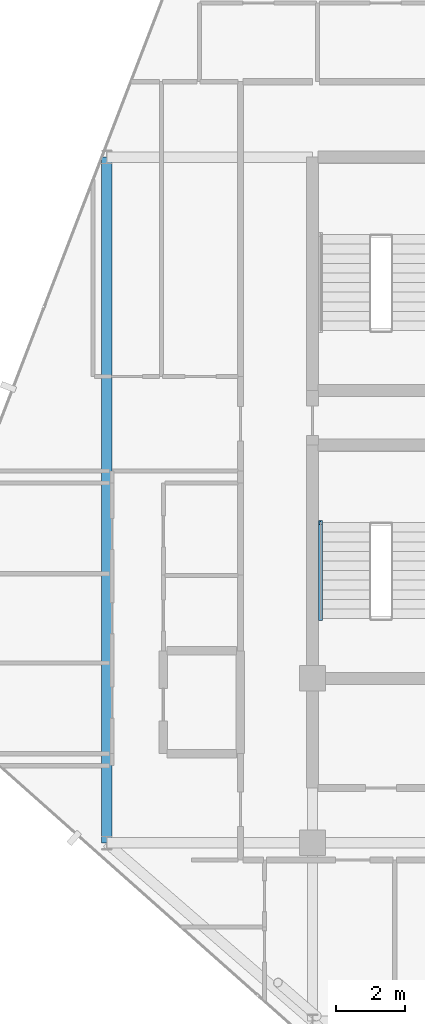
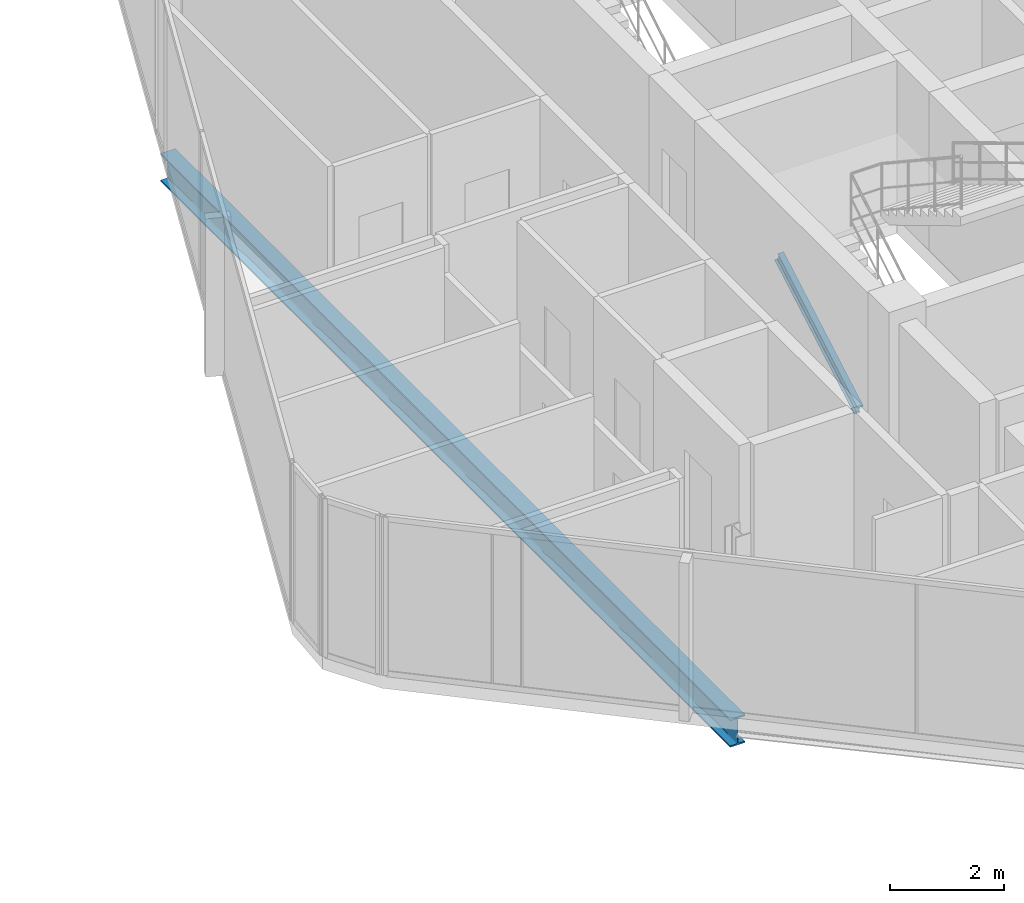
# One storey, part 9 of 28: 1 beam, 1 member.
"""IFC4 building model written with IfcOpenShell, lengths in metres."""

import ifcopenshell
import ifcopenshell.guid

model = None  # the IFC model being written
_history = None  # IfcOwnerHistory: only IFC2X3 demands one
_inside = {}  # id of a spatial element -> (the spatial element, [elements in it])
_under = {}  # id of a project, library or spatial element -> (it, [spatial elements below it])
_declared = {}  # id of a project -> (the project, [libraries it declares])
_typed = {}  # id of a type object -> (the type object, [elements of that type])
_made_of = {}  # id of a material, layer set ... -> (it, [elements and type objects made of it])


def new_model(schema):
    """Start an empty IFC model of exactly this schema.

    Asked for "IFC4X3", IfcOpenShell would pick the latest addendum, in which some entities
    have other attributes; the version numbers below select the first issue.
    IFC2X3 requires an IfcOwnerHistory on every rooted entity: one is made here for all.
    """
    global model, _history
    if schema == "IFC4X3":
        model = ifcopenshell.file(schema_version=(4, 3, 0, 0))
    else:
        model = ifcopenshell.file(schema=schema)
    _inside.clear()
    _under.clear()
    _declared.clear()
    _typed.clear()
    _made_of.clear()
    _history = None
    if model.schema == "IFC2X3":
        org = make("IfcOrganization", Name="unknown")
        user = make(
            "IfcPersonAndOrganization",
            ThePerson=make("IfcPerson", FamilyName="unknown"),
            TheOrganization=org,
        )
        app = make(
            "IfcApplication",
            ApplicationDeveloper=org,
            Version="unknown",
            ApplicationFullName="unknown",
            ApplicationIdentifier="unknown",
        )
        _history = make(
            "IfcOwnerHistory",
            OwningUser=user,
            OwningApplication=app,
            ChangeAction="ADDED",
            CreationDate=0,
        )
    return model


def make(cls, **values):
    """One entity of the class cls with the attributes given. An attribute that is None is left unset."""
    return model.create_entity(
        cls, **{name: value for name, value in values.items() if value is not None}
    )


def rooted(cls, **values):
    """An entity with a GlobalId (a new one), such as an element, a storey or a relation."""
    return make(cls, GlobalId=ifcopenshell.guid.new(), OwnerHistory=_history, **values)


def si_unit(unit_type, name, prefix=None):
    """IfcSIUnit, for example si_unit("LENGTHUNIT", "METRE", prefix="MILLI")."""
    return make("IfcSIUnit", UnitType=unit_type, Prefix=prefix, Name=name)


def assignment(units):
    """IfcUnitAssignment: the units of a project."""
    return None if units is None else make("IfcUnitAssignment", Units=units)


def point(xyz):
    """IfcCartesianPoint."""
    return None if xyz is None else make("IfcCartesianPoint", Coordinates=xyz)


def direction(xyz):
    """IfcDirection."""
    return None if xyz is None else make("IfcDirection", DirectionRatios=xyz)


def frame(location, z_axis=None, x_axis=None):
    """IfcAxis2Placement3D, a coordinate frame: its origin and axes. An axis left out is left unset."""
    return make(
        "IfcAxis2Placement3D",
        Location=point(location),
        Axis=direction(z_axis),
        RefDirection=direction(x_axis),
    )


def frame_2d(location, x_axis=None):
    """IfcAxis2Placement2D, a coordinate frame in the plane: its origin and x axis."""
    return make(
        "IfcAxis2Placement2D", Location=point(location), RefDirection=direction(x_axis)
    )


def origin():
    """The frame at (0, 0, 0) with its axes left unset."""
    return frame((0.0, 0.0, 0.0))


def origin_2d():
    """The frame at (0, 0) in the plane with its x axis left unset."""
    return frame_2d((0.0, 0.0))


def place(relative_to, where):
    """IfcLocalPlacement: puts the frame where relative to a parent placement (None: the world)."""
    return make(
        "IfcLocalPlacement", PlacementRelTo=relative_to, RelativePlacement=where
    )


def context(
    kind, dimensions, precision=None, world=None, true_north=None, identifier=None
):
    """IfcGeometricRepresentationContext, for example the 3D "Model" context."""
    return make(
        "IfcGeometricRepresentationContext",
        ContextIdentifier=identifier,
        ContextType=kind,
        CoordinateSpaceDimension=dimensions,
        Precision=precision,
        WorldCoordinateSystem=world,
        TrueNorth=true_north,
    )


def subcontext(parent, identifier, kind, view, scale=None):
    """IfcGeometricRepresentationSubContext, for example "Body" below "Model"."""
    return make(
        "IfcGeometricRepresentationSubContext",
        ContextIdentifier=identifier,
        ContextType=kind,
        ParentContext=parent,
        TargetScale=scale,
        TargetView=view,
    )


def project(units=None, contexts=None):
    """IfcProject with its units and contexts."""
    return rooted(
        "IfcProject",
        Name="project",
        RepresentationContexts=contexts,
        UnitsInContext=assignment(units),
    )


def spatial(cls, under=None, at=None, **own):
    """A site, building, storey or space (cls), placed at a placement, below another one or the project."""
    s = rooted(cls, ObjectPlacement=at, **own)
    if under is not None:
        _under.setdefault(under.id(), (under, []))[1].append(s)
    return s


def profile(cls, at=None, kind="AREA", **sizes):
    """A parametric profile (cls). Its sizes go by their IFC names, for example OverallWidth=200.0."""
    return make(cls, ProfileType=kind, Position=at, **sizes)


def i_section(**sizes):
    """IfcIShapeProfileDef."""
    return profile("IfcIShapeProfileDef", **sizes)


def extrude(swept, where, along, depth):
    """IfcExtrudedAreaSolid: the profile swept, set in the frame where, extruded along a direction by depth."""
    return make(
        "IfcExtrudedAreaSolid",
        SweptArea=swept,
        Position=where,
        ExtrudedDirection=direction(along),
        Depth=depth,
    )


def shape(context_of_items, identifier, shape_type, items):
    """IfcShapeRepresentation: the items that make up one representation, for example the "Body"."""
    return make(
        "IfcShapeRepresentation",
        ContextOfItems=context_of_items,
        RepresentationIdentifier=identifier,
        RepresentationType=shape_type,
        Items=items,
    )


def material(Name=None, Category=None):
    """IfcMaterial."""
    return make("IfcMaterial", Name=Name, Category=Category)


def material_profile(
    of_material, cross_section, Name=None, Category=None, Priority=None
):
    """IfcMaterialProfile: a cross section and its material."""
    return make(
        "IfcMaterialProfile",
        Name=Name,
        Material=of_material,
        Profile=cross_section,
        Priority=Priority,
        Category=Category,
    )


def profile_set(profiles, Name=None, composite=None):
    """IfcMaterialProfileSet."""
    return make(
        "IfcMaterialProfileSet",
        Name=Name,
        MaterialProfiles=profiles,
        CompositeProfile=composite,
    )


def made_of(thing, what):
    """Note that an element or type object is made of a material, layer set ...; save() writes the relation."""
    if what is not None:
        _made_of.setdefault(what.id(), (what, []))[1].append(thing)
    return thing


def type_object(cls, material=None, **own):
    """A type object (cls), such as IfcWallType, which elements share."""
    return made_of(rooted(cls, **own), material)


def element(
    cls,
    number,
    at=None,
    inside=None,
    cuts=None,
    type_object=None,
    material=None,
    context=None,
    identifier="Body",
    shape_type=None,
    held_by="IfcProductDefinitionShape",
    body=None,
    shapes=None,
    **own,
):
    """One element of the class cls, such as IfcWall. Its Tag is "e" and its number.

    at: its placement. inside: the storey or other place that contains it. cuts: it is an
    opening in that element (IfcRelVoidsElement). A single representation is given by context,
    identifier, shape_type and body (its items); several are given by shapes. held_by: the class
    of the entity that holds the representations. save() writes the other relations.
    """
    e = rooted(cls, Tag="e%d" % number, ObjectPlacement=at, **own)
    if body is not None:
        shapes = [shape(context, identifier, shape_type, body)]
    if shapes is not None:
        e.Representation = make(held_by, Representations=shapes)
    if inside is not None:
        _inside.setdefault(inside.id(), (inside, []))[1].append(e)
    if cuts is not None:
        rooted(
            "IfcRelVoidsElement", RelatingBuildingElement=cuts, RelatedOpeningElement=e
        )
    if type_object is not None:
        _typed.setdefault(type_object.id(), (type_object, []))[1].append(e)
    return made_of(e, material)


def aggregate(whole, parts):
    """IfcRelAggregates: a whole, such as a stair, and the parts it consists of."""
    return rooted("IfcRelAggregates", RelatingObject=whole, RelatedObjects=parts)


def save(model, path):
    """Write the relations noted so far, then the file.

    IfcRelAggregates (storeys below a building ...), IfcRelContainedInSpatialStructure (elements
    in a storey), IfcRelDefinesByType, IfcRelAssociatesMaterial and IfcRelDeclares: one each for
    every whole, place, type object, material and project.
    """
    for whole, parts in _under.values():
        aggregate(whole, parts)
    for where, things in _inside.values():
        rooted(
            "IfcRelContainedInSpatialStructure",
            RelatedElements=things,
            RelatingStructure=where,
        )
    for kind, things in _typed.values():
        rooted("IfcRelDefinesByType", RelatedObjects=things, RelatingType=kind)
    for what, things in _made_of.values():
        rooted("IfcRelAssociatesMaterial", RelatedObjects=things, RelatingMaterial=what)
    for by, libraries in _declared.values():
        rooted("IfcRelDeclares", RelatingContext=by, RelatedDefinitions=libraries)
    model.write(path)


model = new_model("IFC4")

# Units and contexts
model_context = context("Model", 3, precision=1e-05, world=origin(), true_north=direction((0.0, 1.0)))
body_context = subcontext(model_context, "Body", "Model", "MODEL_VIEW")
ifc_project = project(units=[si_unit("LENGTHUNIT", "METRE"), si_unit("AREAUNIT", "SQUARE_METRE"), si_unit("VOLUMEUNIT", "CUBIC_METRE"), si_unit("PLANEANGLEUNIT", "RADIAN"), si_unit("MASSUNIT", "GRAM", prefix="KILO")], contexts=[model_context])

# Site, building, storey
site_placement = place(None, origin())
site = spatial("IfcSite", under=ifc_project, at=site_placement, CompositionType="ELEMENT")
building_placement = place(site_placement, origin())
building = spatial("IfcBuilding", under=site, at=building_placement, Name="Keshet Zoharim Tower", CompositionType="ELEMENT")
storey_placement = place(building_placement, frame((0.0, 0.0, 258.39990234375)))
storey = spatial("IfcBuildingStorey", under=building, at=storey_placement, Name="L64", CompositionType="ELEMENT", Elevation=258.39990234375)

# Beam
ifc_material = material(Name="Steel S355", Category="steel")
ifc_material_profile_1 = material_profile(ifc_material, i_section(OverallWidth=0.300048828125, OverallDepth=0.60009765625, WebThickness=0.015380859375, FlangeThickness=0.030029296875, FilletRadius=0.027099609375, at=origin_2d()), Name="HEB600")
ifc_profile_set_1 = profile_set([ifc_material_profile_1], Name="Steel S355")
beam_type = type_object("IfcBeamType", Name="BM-LNG-HB600", PredefinedType="BEAM", material=ifc_profile_set_1)
beam_placement = place(storey_placement, frame((9.0, 17.89990234375, -0.60986328125), z_axis=(0.0, 1.0, 0.0), x_axis=(-1.0, 0.0, 0.0)))
element("IfcBeam", 1, at=beam_placement, inside=storey, type_object=beam_type, Name="L64 Primary Girder Y-001", PredefinedType="BEAM", context=body_context, shape_type="SweptSolid", body=[
    extrude(i_section(OverallWidth=0.300048828125, OverallDepth=0.60009765625, WebThickness=0.015380859375, FlangeThickness=0.030029296875, FilletRadius=0.027099609375, at=origin_2d()), origin(), (0.0, 0.0, 1.0), 20.0),
])

# Member
ifc_material_profile_2 = material_profile(ifc_material, i_section(OverallWidth=0.1201171875, OverallDepth=0.239990234375, WebThickness=0.006103515625, FlangeThickness=0.009765625, FilletRadius=0.014892578125, at=origin_2d()), Name="IPE240")
ifc_profile_set_2 = profile_set([ifc_material_profile_2], Name="Steel S355")
member_type = type_object("IfcMemberType", Name="MB-STRG-IP240", PredefinedType="STRINGER", material=ifc_profile_set_2)
member_placement = place(storey_placement, frame((15.22998046875, 24.43994140625, 0.1201171875), z_axis=(0.0, 0.866928350432, 0.498432779035), x_axis=(-1.0, 0.0, 0.0)))
element("IfcMember", 2, at=member_placement, inside=storey, type_object=member_type, Name="L64 ST-01 Flight Steel Stringer", PredefinedType="STRINGER", context=body_context, shape_type="SweptSolid", body=[
    extrude(i_section(OverallWidth=0.1201171875, OverallDepth=0.239990234375, WebThickness=0.006103515625, FlangeThickness=0.009765625, FilletRadius=0.014892578125, at=origin_2d()), origin(), (0.0, 0.0, 1.0), 3.229736328125),
])

save(model, "model.ifc")
